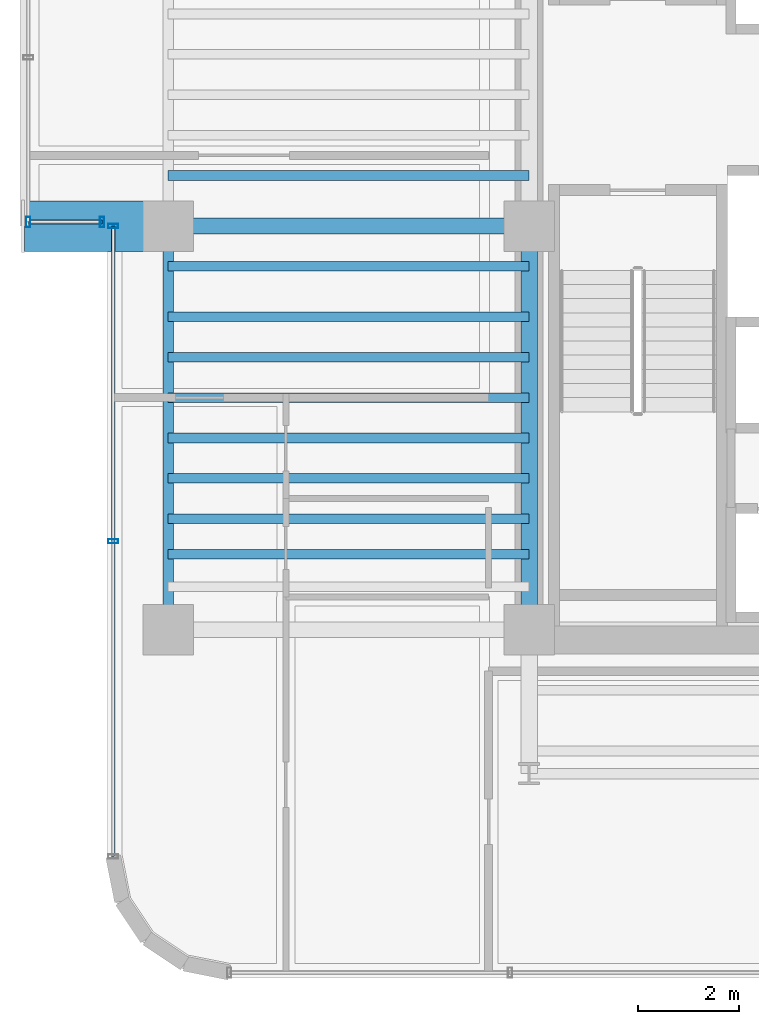
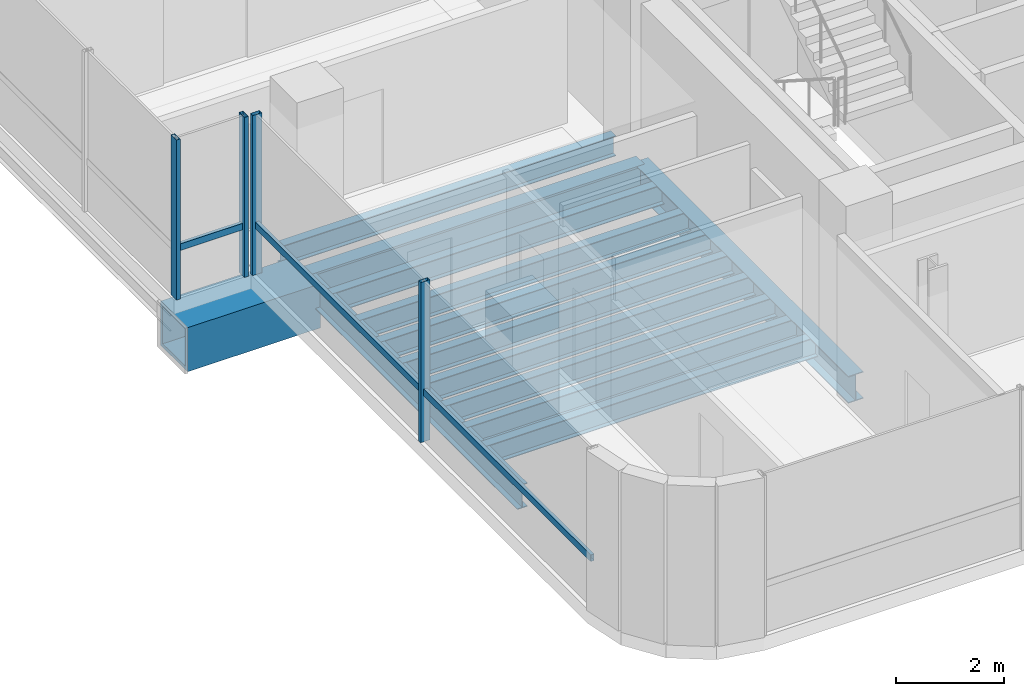
# One storey, part 4 of 38: 13 beams, 6 members, 2 elements without a shape of their own.
"""IFC4 building model written with IfcOpenShell, lengths in metres."""

import ifcopenshell
import ifcopenshell.guid

model = None  # the IFC model being written
_history = None  # IfcOwnerHistory: only IFC2X3 demands one
_inside = {}  # id of a spatial element -> (the spatial element, [elements in it])
_under = {}  # id of a project, library or spatial element -> (it, [spatial elements below it])
_declared = {}  # id of a project -> (the project, [libraries it declares])
_typed = {}  # id of a type object -> (the type object, [elements of that type])
_made_of = {}  # id of a material, layer set ... -> (it, [elements and type objects made of it])


def new_model(schema):
    """Start an empty IFC model of exactly this schema.

    Asked for "IFC4X3", IfcOpenShell would pick the latest addendum, in which some entities
    have other attributes; the version numbers below select the first issue.
    IFC2X3 requires an IfcOwnerHistory on every rooted entity: one is made here for all.
    """
    global model, _history
    if schema == "IFC4X3":
        model = ifcopenshell.file(schema_version=(4, 3, 0, 0))
    else:
        model = ifcopenshell.file(schema=schema)
    _inside.clear()
    _under.clear()
    _declared.clear()
    _typed.clear()
    _made_of.clear()
    _history = None
    if model.schema == "IFC2X3":
        org = make("IfcOrganization", Name="unknown")
        user = make(
            "IfcPersonAndOrganization",
            ThePerson=make("IfcPerson", FamilyName="unknown"),
            TheOrganization=org,
        )
        app = make(
            "IfcApplication",
            ApplicationDeveloper=org,
            Version="unknown",
            ApplicationFullName="unknown",
            ApplicationIdentifier="unknown",
        )
        _history = make(
            "IfcOwnerHistory",
            OwningUser=user,
            OwningApplication=app,
            ChangeAction="ADDED",
            CreationDate=0,
        )
    return model


def make(cls, **values):
    """One entity of the class cls with the attributes given. An attribute that is None is left unset."""
    return model.create_entity(
        cls, **{name: value for name, value in values.items() if value is not None}
    )


def rooted(cls, **values):
    """An entity with a GlobalId (a new one), such as an element, a storey or a relation."""
    return make(cls, GlobalId=ifcopenshell.guid.new(), OwnerHistory=_history, **values)


def si_unit(unit_type, name, prefix=None):
    """IfcSIUnit, for example si_unit("LENGTHUNIT", "METRE", prefix="MILLI")."""
    return make("IfcSIUnit", UnitType=unit_type, Prefix=prefix, Name=name)


def assignment(units):
    """IfcUnitAssignment: the units of a project."""
    return None if units is None else make("IfcUnitAssignment", Units=units)


def point(xyz):
    """IfcCartesianPoint."""
    return None if xyz is None else make("IfcCartesianPoint", Coordinates=xyz)


def direction(xyz):
    """IfcDirection."""
    return None if xyz is None else make("IfcDirection", DirectionRatios=xyz)


def frame(location, z_axis=None, x_axis=None):
    """IfcAxis2Placement3D, a coordinate frame: its origin and axes. An axis left out is left unset."""
    return make(
        "IfcAxis2Placement3D",
        Location=point(location),
        Axis=direction(z_axis),
        RefDirection=direction(x_axis),
    )


def frame_2d(location, x_axis=None):
    """IfcAxis2Placement2D, a coordinate frame in the plane: its origin and x axis."""
    return make(
        "IfcAxis2Placement2D", Location=point(location), RefDirection=direction(x_axis)
    )


def origin():
    """The frame at (0, 0, 0) with its axes left unset."""
    return frame((0.0, 0.0, 0.0))


def origin_2d():
    """The frame at (0, 0) in the plane with its x axis left unset."""
    return frame_2d((0.0, 0.0))


def place(relative_to, where):
    """IfcLocalPlacement: puts the frame where relative to a parent placement (None: the world)."""
    return make(
        "IfcLocalPlacement", PlacementRelTo=relative_to, RelativePlacement=where
    )


def context(
    kind, dimensions, precision=None, world=None, true_north=None, identifier=None
):
    """IfcGeometricRepresentationContext, for example the 3D "Model" context."""
    return make(
        "IfcGeometricRepresentationContext",
        ContextIdentifier=identifier,
        ContextType=kind,
        CoordinateSpaceDimension=dimensions,
        Precision=precision,
        WorldCoordinateSystem=world,
        TrueNorth=true_north,
    )


def subcontext(parent, identifier, kind, view, scale=None):
    """IfcGeometricRepresentationSubContext, for example "Body" below "Model"."""
    return make(
        "IfcGeometricRepresentationSubContext",
        ContextIdentifier=identifier,
        ContextType=kind,
        ParentContext=parent,
        TargetScale=scale,
        TargetView=view,
    )


def project(units=None, contexts=None):
    """IfcProject with its units and contexts."""
    return rooted(
        "IfcProject",
        Name="project",
        RepresentationContexts=contexts,
        UnitsInContext=assignment(units),
    )


def spatial(cls, under=None, at=None, **own):
    """A site, building, storey or space (cls), placed at a placement, below another one or the project."""
    s = rooted(cls, ObjectPlacement=at, **own)
    if under is not None:
        _under.setdefault(under.id(), (under, []))[1].append(s)
    return s


def profile(cls, at=None, kind="AREA", **sizes):
    """A parametric profile (cls). Its sizes go by their IFC names, for example OverallWidth=200.0."""
    return make(cls, ProfileType=kind, Position=at, **sizes)


def hollow_rectangle(**sizes):
    """IfcRectangleHollowProfileDef."""
    return profile("IfcRectangleHollowProfileDef", **sizes)


def i_section(**sizes):
    """IfcIShapeProfileDef."""
    return profile("IfcIShapeProfileDef", **sizes)


def extrude(swept, where, along, depth):
    """IfcExtrudedAreaSolid: the profile swept, set in the frame where, extruded along a direction by depth."""
    return make(
        "IfcExtrudedAreaSolid",
        SweptArea=swept,
        Position=where,
        ExtrudedDirection=direction(along),
        Depth=depth,
    )


def shape(context_of_items, identifier, shape_type, items):
    """IfcShapeRepresentation: the items that make up one representation, for example the "Body"."""
    return make(
        "IfcShapeRepresentation",
        ContextOfItems=context_of_items,
        RepresentationIdentifier=identifier,
        RepresentationType=shape_type,
        Items=items,
    )


def source(mapping_origin, context_of_items, identifier, shape_type, items):
    """IfcRepresentationMap: a shape defined once, which mapped items show again and again."""
    return make(
        "IfcRepresentationMap",
        MappingOrigin=mapping_origin,
        MappedRepresentation=shape(context_of_items, identifier, shape_type, items),
    )


def transform(
    local_origin,
    x_axis=None,
    y_axis=None,
    z_axis=None,
    scale=None,
    scale2=None,
    scale3=None,
    uniform=True,
):
    """IfcCartesianTransformationOperator3D, or its non-uniform kind. x_axis, y_axis, z_axis: its Axis1, 2, 3."""
    if uniform:
        return make(
            "IfcCartesianTransformationOperator3D",
            Axis1=direction(x_axis),
            Axis2=direction(y_axis),
            LocalOrigin=point(local_origin),
            Scale=scale,
            Axis3=direction(z_axis),
        )
    return make(
        "IfcCartesianTransformationOperator3DnonUniform",
        Axis1=direction(x_axis),
        Axis2=direction(y_axis),
        LocalOrigin=point(local_origin),
        Scale=scale,
        Axis3=direction(z_axis),
        Scale2=scale2,
        Scale3=scale3,
    )


def mapped(mapping_source, mapping_target):
    """IfcMappedItem: shows the shape of a source again, moved by a transform."""
    return make(
        "IfcMappedItem", MappingSource=mapping_source, MappingTarget=mapping_target
    )


def material(Name=None, Category=None):
    """IfcMaterial."""
    return make("IfcMaterial", Name=Name, Category=Category)


def material_profile(
    of_material, cross_section, Name=None, Category=None, Priority=None
):
    """IfcMaterialProfile: a cross section and its material."""
    return make(
        "IfcMaterialProfile",
        Name=Name,
        Material=of_material,
        Profile=cross_section,
        Priority=Priority,
        Category=Category,
    )


def profile_set(profiles, Name=None, composite=None):
    """IfcMaterialProfileSet."""
    return make(
        "IfcMaterialProfileSet",
        Name=Name,
        MaterialProfiles=profiles,
        CompositeProfile=composite,
    )


def made_of(thing, what):
    """Note that an element or type object is made of a material, layer set ...; save() writes the relation."""
    if what is not None:
        _made_of.setdefault(what.id(), (what, []))[1].append(thing)
    return thing


def type_object(cls, material=None, **own):
    """A type object (cls), such as IfcWallType, which elements share."""
    return made_of(rooted(cls, **own), material)


def element(
    cls,
    number,
    at=None,
    inside=None,
    cuts=None,
    type_object=None,
    material=None,
    context=None,
    identifier="Body",
    shape_type=None,
    held_by="IfcProductDefinitionShape",
    body=None,
    shapes=None,
    **own,
):
    """One element of the class cls, such as IfcWall. Its Tag is "e" and its number.

    at: its placement. inside: the storey or other place that contains it. cuts: it is an
    opening in that element (IfcRelVoidsElement). A single representation is given by context,
    identifier, shape_type and body (its items); several are given by shapes. held_by: the class
    of the entity that holds the representations. save() writes the other relations.
    """
    e = rooted(cls, Tag="e%d" % number, ObjectPlacement=at, **own)
    if body is not None:
        shapes = [shape(context, identifier, shape_type, body)]
    if shapes is not None:
        e.Representation = make(held_by, Representations=shapes)
    if inside is not None:
        _inside.setdefault(inside.id(), (inside, []))[1].append(e)
    if cuts is not None:
        rooted(
            "IfcRelVoidsElement", RelatingBuildingElement=cuts, RelatedOpeningElement=e
        )
    if type_object is not None:
        _typed.setdefault(type_object.id(), (type_object, []))[1].append(e)
    return made_of(e, material)


def aggregate(whole, parts):
    """IfcRelAggregates: a whole, such as a stair, and the parts it consists of."""
    return rooted("IfcRelAggregates", RelatingObject=whole, RelatedObjects=parts)


def save(model, path):
    """Write the relations noted so far, then the file.

    IfcRelAggregates (storeys below a building ...), IfcRelContainedInSpatialStructure (elements
    in a storey), IfcRelDefinesByType, IfcRelAssociatesMaterial and IfcRelDeclares: one each for
    every whole, place, type object, material and project.
    """
    for whole, parts in _under.values():
        aggregate(whole, parts)
    for where, things in _inside.values():
        rooted(
            "IfcRelContainedInSpatialStructure",
            RelatedElements=things,
            RelatingStructure=where,
        )
    for kind, things in _typed.values():
        rooted("IfcRelDefinesByType", RelatedObjects=things, RelatingType=kind)
    for what, things in _made_of.values():
        rooted("IfcRelAssociatesMaterial", RelatedObjects=things, RelatingMaterial=what)
    for by, libraries in _declared.values():
        rooted("IfcRelDeclares", RelatingContext=by, RelatedDefinitions=libraries)
    model.write(path)


model = new_model("IFC4")

# Units and contexts
model_context = context("Model", 3, precision=1e-05, world=origin(), true_north=direction((0.0, 1.0)))
body_context = subcontext(model_context, "Body", "Model", "MODEL_VIEW")
ifc_project = project(units=[si_unit("LENGTHUNIT", "METRE"), si_unit("AREAUNIT", "SQUARE_METRE"), si_unit("VOLUMEUNIT", "CUBIC_METRE"), si_unit("PLANEANGLEUNIT", "RADIAN"), si_unit("MASSUNIT", "GRAM", prefix="KILO")], contexts=[model_context])

# Site, building, storey
site_placement = place(None, origin())
site = spatial("IfcSite", under=ifc_project, at=site_placement, CompositionType="ELEMENT")
building_placement = place(site_placement, origin())
building = spatial("IfcBuilding", under=site, at=building_placement, Name="Valdorenza Pilgrim Sanctuary Tower", CompositionType="ELEMENT")
storey_placement = place(building_placement, frame((0.0, 0.0, 180.5)))
storey = spatial("IfcBuildingStorey", under=building, at=storey_placement, Name="L46", CompositionType="ELEMENT", Elevation=180.5)

# Beams
ifc_material_1 = material(Name="Steel ASTM A992 Grade 50", Category="steel")
ifc_material_profile_1 = material_profile(ifc_material_1, i_section(OverallWidth=0.323974609375, OverallDepth=0.611083984375, WebThickness=0.0126953125, FlangeThickness=0.01904296875, at=origin_2d()), Name="W24X104")
ifc_profile_set_1 = profile_set([ifc_material_profile_1], Name="Steel ASTM A992 Grade 50")
beam_type_1 = type_object("IfcBeamType", Name="STR-BM-GRD-W24B", PredefinedType="BEAM", material=ifc_profile_set_1)
shared_shape_1 = source(origin(), body_context, "Body", "SweptSolid", [
    extrude(i_section(OverallWidth=0.323974609375, OverallDepth=0.611083984375, WebThickness=0.0126953125, FlangeThickness=0.01904296875, at=origin_2d()), origin(), (0.0, 0.0, 1.0), 8.0),
])
beam_1_placement = place(storey_placement, frame((-22.64990234375, -10.60009765625, -0.62548828125), z_axis=(0.0, 1.0, 0.0), x_axis=(-1.0, 0.0, 0.0)))
element("IfcBeam", 1, at=beam_1_placement, inside=storey, type_object=beam_type_1, Name="L46 Core Tie Girder CA-W-S1M0", PredefinedType="BEAM", context=body_context, shape_type="MappedRepresentation", body=[
    mapped(shared_shape_1, transform((0.0, 0.0, 0.0), x_axis=(1.0, 0.0, 0.0), y_axis=(0.0, 1.0, 0.0), z_axis=(0.0, 0.0, 1.0), scale=1.0)),
])
ifc_material_profile_2 = material_profile(ifc_material_1, i_section(OverallWidth=0.19091796875, OverallDepth=0.45703125, WebThickness=0.009033203125, FlangeThickness=0.014404296875, at=origin_2d()), Name="W18X50")
ifc_profile_set_2 = profile_set([ifc_material_profile_2], Name="Steel ASTM A992 Grade 50")
beam_type_2 = type_object("IfcBeamType", Name="STR-BM-JST-W18B", PredefinedType="JOIST", material=ifc_profile_set_2)
shared_shape_2 = source(origin(), body_context, "Body", "SweptSolid", [
    extrude(i_section(OverallWidth=0.19091796875, OverallDepth=0.45703125, WebThickness=0.009033203125, FlangeThickness=0.014404296875, at=origin_2d()), origin(), (0.0, 0.0, 1.0), 7.150146484375),
])
for number, where, z_axis, x_axis, name in (
    (2, (-29.800048828125, -9.10009765625, -0.548583984375), (1.0, 0.0, 0.0), (0.0, 1.0, 0.0), "L46 Composite Floor Joist JST-WA-2"),
    (3, (-29.800048828125, -8.39990234375, -0.548583984375), (1.0, 0.0, 0.0), (0.0, 1.0, 0.0), "L46 Composite Floor Joist JST-WA-3"),
    (4, (-29.800048828125, -7.60009765625, -0.548583984375), (1.0, 0.0, 0.0), (0.0, 1.0, 0.0), "L46 Composite Floor Joist JST-WA-4"),
    (5, (-29.800048828125, -6.800048828125, -0.548583984375), (1.0, 0.0, 0.0), (0.0, 1.0, 0.0), "L46 Composite Floor Joist JST-WA-5"),
    (6, (-29.800048828125, -6.0, -0.548583984375), (1.0, 0.0, 0.0), (0.0, 1.0, 0.0), "L46 Composite Floor Joist JST-WA-6"),
    (7, (-29.800048828125, -5.199951171875, -0.548583984375), (1.0, 0.0, 0.0), (0.0, 1.0, 0.0), "L46 Composite Floor Joist JST-WA-7"),
    (8, (-29.800048828125, -4.39990234375, -0.548583984375), (1.0, 0.0, 0.0), (0.0, 1.0, 0.0), "L46 Composite Floor Joist JST-WA-8"),
    (9, (-29.800048828125, -3.39990234375, -0.548583984375), (1.0, 0.0, 0.0), (0.0, 1.0, 0.0), "L46 Composite Floor Joist JST-WA-9"),
    (10, (-29.800048828125, -1.60009765625, -0.548583984375), (1.0, 0.0, 0.0), (0.0, 1.0, 0.0), "L46 Composite Floor Joist JST-WA-10"),
):
    element("IfcBeam", number, at=place(storey_placement, frame(where, z_axis=z_axis, x_axis=x_axis)), inside=storey, type_object=beam_type_2, Name=name, PredefinedType="JOIST", context=body_context, shape_type="MappedRepresentation", body=[
        mapped(shared_shape_2, transform((0.0, 0.0, 0.0), x_axis=(1.0, 0.0, 0.0), y_axis=(0.0, 1.0, 0.0), z_axis=(0.0, 0.0, 1.0), scale=1.0)),
    ])
ifc_material_2 = material(Name="Steel ASTM A572 Grade 42", Category="steel")
ifc_material_profile_3 = material_profile(ifc_material_2, hollow_rectangle(XDim=1.0, YDim=1.0, WallThickness=0.080078125, at=origin_2d()), Name="BOX 1000x1000x80")
ifc_profile_set_3 = profile_set([ifc_material_profile_3], Name="Steel ASTM A572 Grade 42")
beam_type_3 = type_object("IfcBeamType", Name="STR-BM-PROW-CANT", PredefinedType="BEAM", material=ifc_profile_set_3)
shared_shape_3 = source(origin(), body_context, "Body", "SweptSolid", [
    extrude(hollow_rectangle(XDim=1.0, YDim=1.0, WallThickness=0.080078125, at=origin_2d()), origin(), (0.0, 0.0, 1.0), 2.849853515625),
])
beam_2_placement = place(storey_placement, frame((-29.800048828125, -2.60009765625, -0.820068359375), z_axis=(-1.0, 0.0, 0.0), x_axis=(0.0, -1.0, 0.0)))
element("IfcBeam", 11, at=beam_2_placement, inside=storey, type_object=beam_type_3, Name="L46 Glass Box Cantilever Beam BOX-WA-L46-CT-S", PredefinedType="BEAM", context=body_context, shape_type="MappedRepresentation", body=[
    mapped(shared_shape_3, transform((0.0, 0.0, 0.0), x_axis=(1.0, 0.0, 0.0), y_axis=(0.0, 1.0, 0.0), z_axis=(0.0, 0.0, 1.0), scale=1.0)),
])
ifc_material_profile_4 = material_profile(ifc_material_1, i_section(OverallWidth=0.2109375, OverallDepth=0.5390625, WebThickness=0.01171875, FlangeThickness=0.018798828125, at=origin_2d()), Name="W21X73")
ifc_profile_set_4 = profile_set([ifc_material_profile_4], Name="Steel ASTM A992 Grade 50")
beam_type_4 = type_object("IfcBeamType", Name="STR-BM-SPN-W21B", PredefinedType="SPANDREL", material=ifc_profile_set_4)
shared_shape_4 = source(origin(), body_context, "Body", "SweptSolid", [
    extrude(i_section(OverallWidth=0.2109375, OverallDepth=0.5390625, WebThickness=0.01171875, FlangeThickness=0.018798828125, at=origin_2d()), origin(), (0.0, 0.0, 1.0), 8.0),
])
beam_3_placement = place(storey_placement, frame((-29.800048828125, -10.60009765625, -0.589599609375), z_axis=(0.0, 1.0, 0.0), x_axis=(-1.0, 0.0, 0.0)))
element("IfcBeam", 12, at=beam_3_placement, inside=storey, type_object=beam_type_4, Name="L46 Spandrel Beam WA-W-S1M0", PredefinedType="SPANDREL", context=body_context, shape_type="MappedRepresentation", body=[
    mapped(shared_shape_4, transform((0.0, 0.0, 0.0), x_axis=(1.0, 0.0, 0.0), y_axis=(0.0, 1.0, 0.0), z_axis=(0.0, 0.0, 1.0), scale=1.0)),
])
ifc_material_profile_5 = material_profile(ifc_material_1, i_section(OverallWidth=0.31005859375, OverallDepth=0.949951171875, WebThickness=0.0244140625, FlangeThickness=0.0439453125, at=origin_2d()), Name="W36X256")
ifc_profile_set_5 = profile_set([ifc_material_profile_5], Name="Steel ASTM A992 Grade 50")
beam_type_5 = type_object("IfcBeamType", Name="STR-BM-GRD-W36B", PredefinedType="BEAM", material=ifc_profile_set_5)
shared_shape_5 = source(origin(), body_context, "Body", "SweptSolid", [
    extrude(i_section(OverallWidth=0.31005859375, OverallDepth=0.949951171875, WebThickness=0.0244140625, FlangeThickness=0.0439453125, at=origin_2d()), origin(), (0.0, 0.0, 1.0), 7.150146484375),
])
beam_4_placement = place(storey_placement, frame((-29.800048828125, -2.60009765625, -0.794921875), z_axis=(1.0, 0.0, 0.0), x_axis=(0.0, 1.0, 0.0)))
element("IfcBeam", 13, at=beam_4_placement, inside=storey, type_object=beam_type_5, Name="L46 Floor Girder WA-XW-M0", PredefinedType="BEAM", context=body_context, shape_type="MappedRepresentation", body=[
    mapped(shared_shape_5, transform((0.0, 0.0, 0.0), x_axis=(1.0, 0.0, 0.0), y_axis=(0.0, 1.0, 0.0), z_axis=(0.0, 0.0, 1.0), scale=1.0)),
])

# Curtain wall, member
ifc_material_3 = material(Name="Curtain-wall IGU glazing", Category="glass")
curtain_wall_type = type_object("IfcCurtainWallType", Name="CW-SYS-02", PredefinedType="NOTDEFINED", material=ifc_material_3)
curtain_wall_1_placement = place(storey_placement, origin())
curtain_wall_1 = element("IfcCurtainWall", 14, at=curtain_wall_1_placement, inside=storey, type_object=curtain_wall_type, Name="L46 Curtain Wall CW-L46-BOX-WA-L46-S", PredefinedType="NOTDEFINED")
ifc_material_4 = material(Name="Anodised aluminium AW-6060", Category="aluminium")
ifc_material_profile_6 = material_profile(ifc_material_4, hollow_rectangle(XDim=0.074951171875, YDim=0.14990234375, WallThickness=0.00390625, at=origin_2d()), Name="ALU-T 150x75x4")
ifc_profile_set_6 = profile_set([ifc_material_profile_6], Name="Anodised aluminium AW-6060")
member_type_1 = type_object("IfcMemberType", Name="CW-TRN-02", PredefinedType="USERDEFINED", material=ifc_profile_set_6)
shared_shape_6 = source(origin(), body_context, "Body", "SweptSolid", [
    extrude(hollow_rectangle(XDim=0.074951171875, YDim=0.14990234375, WallThickness=0.00390625, at=origin_2d()), origin(), (0.0, 0.0, 1.0), 1.4599609375),
])
member_1_placement = place(storey_placement, frame((-31.110107421875, -2.52001953125, 1.1201171875), z_axis=(-1.0, 0.0, 0.0), x_axis=(0.0, -1.0, 0.0)))
member_1 = element("IfcMember", 15, at=member_1_placement, type_object=member_type_1, Name="CW-L46-BOX-WA-L46-S Transom 1", ObjectType="TRANSOM", PredefinedType="USERDEFINED", context=body_context, shape_type="MappedRepresentation", body=[
    mapped(shared_shape_6, transform((0.0, 0.0, 0.0), x_axis=(1.0, 0.0, 0.0), y_axis=(0.0, 1.0, 0.0), z_axis=(0.0, 0.0, 1.0), scale=1.0)),
])

# Curtain wall, members
curtain_wall_2_placement = place(storey_placement, origin())
curtain_wall_2 = element("IfcCurtainWall", 16, at=curtain_wall_2_placement, inside=storey, type_object=curtain_wall_type, Name="L46 Curtain Wall CW-L46-1-1S1", PredefinedType="NOTDEFINED")
shared_shape_7 = source(origin(), body_context, "Body", "SweptSolid", [
    extrude(hollow_rectangle(XDim=0.074951171875, YDim=0.14990234375, WallThickness=0.00390625, at=origin_2d()), origin(), (0.0, 0.0, 1.0), 12.489013671875),
])
member_2_placement = place(storey_placement, frame((-30.889892578125, -15.089111328125, 1.1201171875), z_axis=(0.0, 1.0, 0.0), x_axis=(-1.0, 0.0, 0.0)))
member_2 = element("IfcMember", 17, at=member_2_placement, type_object=member_type_1, Name="CW-L46-1-1S1 Transom 1", ObjectType="TRANSOM", PredefinedType="USERDEFINED", context=body_context, shape_type="MappedRepresentation", body=[
    mapped(shared_shape_7, transform((0.0, 0.0, 0.0), x_axis=(1.0, 0.0, 0.0), y_axis=(0.0, 1.0, 0.0), z_axis=(0.0, 0.0, 1.0), scale=1.0)),
])
ifc_material_profile_7 = material_profile(ifc_material_4, hollow_rectangle(XDim=0.0849609375, YDim=0.199951171875, WallThickness=0.0048828125, at=origin_2d()), Name="ALU-M 200x85x5")
ifc_profile_set_7 = profile_set([ifc_material_profile_7], Name="Anodised aluminium AW-6060")
member_type_2 = type_object("IfcMemberType", Name="CW-MUL-02", PredefinedType="MULLION", material=ifc_profile_set_7)
shared_shape_8 = source(origin(), body_context, "Body", "SweptSolid", [
    extrude(hollow_rectangle(XDim=0.0849609375, YDim=0.199951171875, WallThickness=0.0048828125, at=origin_2d()), origin(), (0.0, 0.0, 1.0), 3.6298828125),
])
member_3_placement = place(storey_placement, frame((-30.889892578125, -8.844482421875, 0.0), z_axis=(0.0, 0.0, 1.0), x_axis=(0.0, 1.0, 0.0)))
member_3 = element("IfcMember", 18, at=member_3_placement, type_object=member_type_2, Name="CW-L46-1-1S1 Mullion 2", PredefinedType="MULLION", context=body_context, shape_type="MappedRepresentation", body=[
    mapped(shared_shape_8, transform((0.0, 0.0, 0.0), x_axis=(1.0, 0.0, 0.0), y_axis=(0.0, 1.0, 0.0), z_axis=(0.0, 0.0, 1.0), scale=1.0)),
])
member_4_placement = place(storey_placement, frame((-30.889892578125, -2.60009765625, 0.0), z_axis=(0.0, 0.0, 1.0), x_axis=(0.0, 1.0, 0.0)))
member_4 = element("IfcMember", 19, at=member_4_placement, type_object=member_type_2, Name="CW-L46-1-1S1 Mullion 3", PredefinedType="MULLION", context=body_context, shape_type="MappedRepresentation", body=[
    mapped(shared_shape_8, transform((0.0, 0.0, 0.0), x_axis=(1.0, 0.0, 0.0), y_axis=(0.0, 1.0, 0.0), z_axis=(0.0, 0.0, 1.0), scale=1.0)),
])
aggregate(curtain_wall_2, [member_3, member_4, member_2])

# Member
member_5_placement = place(storey_placement, frame((-31.110107421875, -2.52001953125, 0.0), z_axis=(0.0, 0.0, 1.0), x_axis=(-1.0, 0.0, 0.0)))
member_5 = element("IfcMember", 20, at=member_5_placement, type_object=member_type_2, Name="CW-L46-BOX-WA-L46-S Mullion 1", PredefinedType="MULLION", context=body_context, shape_type="MappedRepresentation", body=[
    mapped(shared_shape_8, transform((0.0, 0.0, 0.0), x_axis=(1.0, 0.0, 0.0), y_axis=(0.0, 1.0, 0.0), z_axis=(0.0, 0.0, 1.0), scale=1.0)),
])

member_6_placement = place(storey_placement, frame((-32.570068359375, -2.52001953125, 0.0), z_axis=(0.0, 0.0, 1.0), x_axis=(-1.0, 0.0, 0.0)))
member_6 = element("IfcMember", 21, at=member_6_placement, type_object=member_type_2, Name="CW-L46-BOX-WA-L46-S Mullion 2", PredefinedType="MULLION", context=body_context, shape_type="MappedRepresentation", body=[
    mapped(shared_shape_8, transform((0.0, 0.0, 0.0), x_axis=(1.0, 0.0, 0.0), y_axis=(0.0, 1.0, 0.0), z_axis=(0.0, 0.0, 1.0), scale=1.0)),
])

aggregate(curtain_wall_1, [member_5, member_6, member_1])

save(model, "model.ifc")
